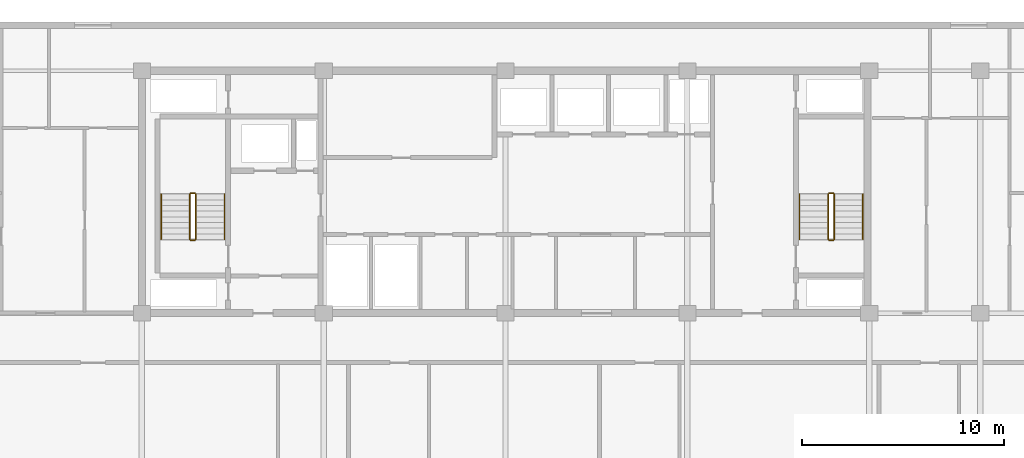
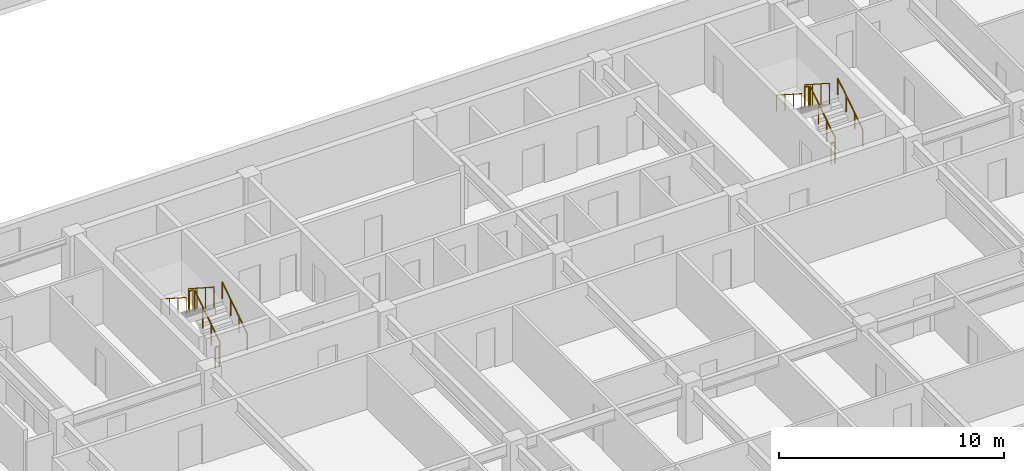
# One storey, part 18 of 21: 12 railings.
"""IFC4 building model written with IfcOpenShell, lengths in metres."""

from ifc_helpers import new_model, si_unit, direction, frame, origin, origin_2d, place, context, subcontext, project, spatial, circle, extrude, material, type_object, element, save


model = new_model("IFC4")

# Units and contexts
model_context = context("Model", 3, precision=1e-05, world=origin(), true_north=direction((0.0, 1.0)))
body_context = subcontext(model_context, "Body", "Model", "MODEL_VIEW")
ifc_project = project(units=[si_unit("LENGTHUNIT", "METRE"), si_unit("AREAUNIT", "SQUARE_METRE"), si_unit("VOLUMEUNIT", "CUBIC_METRE"), si_unit("PLANEANGLEUNIT", "RADIAN"), si_unit("MASSUNIT", "GRAM", prefix="KILO")], contexts=[model_context])

# Site, building, storey
site_placement = place(None, origin())
site = spatial("IfcSite", under=ifc_project, at=site_placement, CompositionType="ELEMENT")
building_placement = place(site_placement, origin())
building = spatial("IfcBuilding", under=site, at=building_placement, Name="Korimba Cascade Residences", CompositionType="ELEMENT")
storey_placement = place(building_placement, frame((0.0, 0.0, 106.800048828125)))
storey = spatial("IfcBuildingStorey", under=building, at=storey_placement, Name="L30", CompositionType="ELEMENT", Elevation=106.800048828125)

# Railings
ifc_material_1 = material(Name="Painted Steel Stairwell Guardrail", Category="steel")
railing_type_1 = type_object("IfcRailingType", Name="RLG-ST-GD1150", PredefinedType="GUARDRAIL", material=ifc_material_1)
railing_1_placement = place(storey_placement, frame((84.77001953125, 22.050048828125, 0.180419921875)))
element("IfcRailing", 1, at=railing_1_placement, inside=storey, type_object=railing_type_1, Name="L30 ST-E1 stair guard 1", PredefinedType="GUARDRAIL", context=body_context, shape_type="SweptSolid", body=[
    extrude(circle(Radius=0.02392578125, at=origin_2d()), frame((0.0, 0.0, 1.1259765625), z_axis=(0.0, 0.840394893359, 0.541974559565), x_axis=(-1.0, 0.0, 0.0)), (0.0, 0.0, 1.0), 2.665283203125),
    extrude(circle(Radius=0.02099609375, at=origin_2d()), origin(), (0.0, 0.0, 1.0), 1.101806640625),
    extrude(circle(Radius=0.02099609375, at=origin_2d()), frame((0.0, 0.74658203125, 0.4814453125)), (0.0, 0.0, 1.0), 1.101806640625),
    extrude(circle(Radius=0.02099609375, at=origin_2d()), frame((0.0, 1.493408203125, 0.963134765625)), (0.0, 0.0, 1.0), 1.101806640625),
    extrude(circle(Radius=0.02099609375, at=origin_2d()), frame((0.0, 2.239990234375, 1.444580078125)), (0.0, 0.0, 1.0), 1.101806640625),
])
railing_2_placement = place(storey_placement, frame((84.719970703125, 24.340087890625, 1.625)))
element("IfcRailing", 2, at=railing_2_placement, inside=storey, type_object=railing_type_1, Name="L30 ST-E1 stair guard 2", PredefinedType="GUARDRAIL", context=body_context, shape_type="SweptSolid", body=[
    extrude(circle(Radius=0.02392578125, at=origin_2d()), frame((0.0, 0.0, 1.1259765625), z_axis=(-1.0, 0.0, 0.0), x_axis=(0.0, -1.0, 0.0)), (0.0, 0.0, 1.0), 0.199951171875),
    extrude(circle(Radius=0.02099609375, at=origin_2d()), origin(), (0.0, 0.0, 1.0), 1.101806640625),
    extrude(circle(Radius=0.02099609375, at=origin_2d()), frame((-0.199951171875, 0.0, 0.0)), (0.0, 0.0, 1.0), 1.101806640625),
])
railing_3_placement = place(storey_placement, frame((84.469970703125, 24.2900390625, 1.805419921875)))
element("IfcRailing", 3, at=railing_3_placement, inside=storey, type_object=railing_type_1, Name="L30 ST-E1 stair guard 3", PredefinedType="GUARDRAIL", context=body_context, shape_type="SweptSolid", body=[
    extrude(circle(Radius=0.02392578125, at=origin_2d()), frame((0.0, 0.0, 1.1259765625), z_axis=(0.0, -0.840394893359, 0.541974559565), x_axis=(1.0, 0.0, 0.0)), (0.0, 0.0, 1.0), 2.665283203125),
    extrude(circle(Radius=0.02099609375, at=origin_2d()), origin(), (0.0, 0.0, 1.0), 1.101806640625),
    extrude(circle(Radius=0.02099609375, at=origin_2d()), frame((0.0, -0.74658203125, 0.4814453125)), (0.0, 0.0, 1.0), 1.101806640625),
    extrude(circle(Radius=0.02099609375, at=origin_2d()), frame((0.0, -1.493408203125, 0.963134765625)), (0.0, 0.0, 1.0), 1.101806640625),
    extrude(circle(Radius=0.02099609375, at=origin_2d()), frame((0.0, -2.239990234375, 1.444580078125)), (0.0, 0.0, 1.0), 1.101806640625),
])
railing_4_placement = place(storey_placement, frame((84.719970703125, 22.0, 0.0)))
element("IfcRailing", 4, at=railing_4_placement, inside=storey, type_object=railing_type_1, Name="L30 ST-E1 stair guard 4", PredefinedType="GUARDRAIL", context=body_context, shape_type="SweptSolid", body=[
    extrude(circle(Radius=0.02392578125, at=origin_2d()), frame((0.0, 0.0, 1.1259765625), z_axis=(-1.0, 0.0, 0.0), x_axis=(0.0, -1.0, 0.0)), (0.0, 0.0, 1.0), 0.199951171875),
    extrude(circle(Radius=0.02099609375, at=origin_2d()), origin(), (0.0, 0.0, 1.0), 1.101806640625),
    extrude(circle(Radius=0.02099609375, at=origin_2d()), frame((-0.199951171875, 0.0, 0.0)), (0.0, 0.0, 1.0), 1.101806640625),
])
railing_5_placement = place(storey_placement, frame((116.3701171875, 22.050048828125, 0.180419921875)))
element("IfcRailing", 5, at=railing_5_placement, inside=storey, type_object=railing_type_1, Name="L30 ST-E2 stair guard 1", PredefinedType="GUARDRAIL", context=body_context, shape_type="SweptSolid", body=[
    extrude(circle(Radius=0.02392578125, at=origin_2d()), frame((0.0, 0.0, 1.1259765625), z_axis=(0.0, 0.840394893359, 0.541974559565), x_axis=(-1.0, 0.0, 0.0)), (0.0, 0.0, 1.0), 2.665283203125),
    extrude(circle(Radius=0.02099609375, at=origin_2d()), origin(), (0.0, 0.0, 1.0), 1.101806640625),
    extrude(circle(Radius=0.02099609375, at=origin_2d()), frame((0.0, 0.74658203125, 0.4814453125)), (0.0, 0.0, 1.0), 1.101806640625),
    extrude(circle(Radius=0.02099609375, at=origin_2d()), frame((0.0, 1.493408203125, 0.963134765625)), (0.0, 0.0, 1.0), 1.101806640625),
    extrude(circle(Radius=0.02099609375, at=origin_2d()), frame((0.0, 2.239990234375, 1.444580078125)), (0.0, 0.0, 1.0), 1.101806640625),
])
railing_6_placement = place(storey_placement, frame((116.320068359375, 24.340087890625, 1.625)))
element("IfcRailing", 6, at=railing_6_placement, inside=storey, type_object=railing_type_1, Name="L30 ST-E2 stair guard 2", PredefinedType="GUARDRAIL", context=body_context, shape_type="SweptSolid", body=[
    extrude(circle(Radius=0.02392578125, at=origin_2d()), frame((0.0, 0.0, 1.1259765625), z_axis=(-1.0, 0.0, 0.0), x_axis=(0.0, -1.0, 0.0)), (0.0, 0.0, 1.0), 0.199951171875),
    extrude(circle(Radius=0.02099609375, at=origin_2d()), origin(), (0.0, 0.0, 1.0), 1.101806640625),
    extrude(circle(Radius=0.02099609375, at=origin_2d()), frame((-0.199951171875, 0.0, 0.0)), (0.0, 0.0, 1.0), 1.101806640625),
])
railing_7_placement = place(storey_placement, frame((116.070068359375, 24.2900390625, 1.805419921875)))
element("IfcRailing", 7, at=railing_7_placement, inside=storey, type_object=railing_type_1, Name="L30 ST-E2 stair guard 3", PredefinedType="GUARDRAIL", context=body_context, shape_type="SweptSolid", body=[
    extrude(circle(Radius=0.02392578125, at=origin_2d()), frame((0.0, 0.0, 1.1259765625), z_axis=(0.0, -0.840394893359, 0.541974559565), x_axis=(1.0, 0.0, 0.0)), (0.0, 0.0, 1.0), 2.665283203125),
    extrude(circle(Radius=0.02099609375, at=origin_2d()), origin(), (0.0, 0.0, 1.0), 1.101806640625),
    extrude(circle(Radius=0.02099609375, at=origin_2d()), frame((0.0, -0.74658203125, 0.4814453125)), (0.0, 0.0, 1.0), 1.101806640625),
    extrude(circle(Radius=0.02099609375, at=origin_2d()), frame((0.0, -1.493408203125, 0.963134765625)), (0.0, 0.0, 1.0), 1.101806640625),
    extrude(circle(Radius=0.02099609375, at=origin_2d()), frame((0.0, -2.239990234375, 1.444580078125)), (0.0, 0.0, 1.0), 1.101806640625),
])
railing_8_placement = place(storey_placement, frame((116.320068359375, 22.0, 0.0)))
element("IfcRailing", 8, at=railing_8_placement, inside=storey, type_object=railing_type_1, Name="L30 ST-E2 stair guard 4", PredefinedType="GUARDRAIL", context=body_context, shape_type="SweptSolid", body=[
    extrude(circle(Radius=0.02392578125, at=origin_2d()), frame((0.0, 0.0, 1.1259765625), z_axis=(-1.0, 0.0, 0.0), x_axis=(0.0, -1.0, 0.0)), (0.0, 0.0, 1.0), 0.199951171875),
    extrude(circle(Radius=0.02099609375, at=origin_2d()), origin(), (0.0, 0.0, 1.0), 1.101806640625),
    extrude(circle(Radius=0.02099609375, at=origin_2d()), frame((-0.199951171875, 0.0, 0.0)), (0.0, 0.0, 1.0), 1.101806640625),
])
ifc_material_2 = material(Name="Brushed Stainless Steel Handrail", Category="steel")
railing_type_2 = type_object("IfcRailingType", Name="RLG-ST-HR900", PredefinedType="HANDRAIL", material=ifc_material_2)
railing_9_placement = place(storey_placement, frame((86.18994140625, 22.050048828125, 0.364990234375)))
element("IfcRailing", 9, at=railing_9_placement, inside=storey, type_object=railing_type_2, Name="L30 ST-E1 stair handrail 1", PredefinedType="HANDRAIL", context=body_context, shape_type="SweptSolid", body=[
    extrude(circle(Radius=0.02392578125, at=origin_2d()), frame((0.0, 0.0, 0.8759765625), z_axis=(0.0, 0.840436612492, 0.541909863706), x_axis=(-1.0, 0.0, 0.0)), (0.0, 0.0, 1.0), 2.665283203125),
    extrude(circle(Radius=0.02099609375, at=origin_2d()), origin(), (0.0, 0.0, 1.0), 0.851806640625),
    extrude(circle(Radius=0.02099609375, at=origin_2d()), frame((0.0, 0.74658203125, 0.4814453125)), (0.0, 0.0, 1.0), 0.851806640625),
    extrude(circle(Radius=0.02099609375, at=origin_2d()), frame((0.0, 1.493408203125, 0.962890625)), (0.0, 0.0, 1.0), 0.851806640625),
    extrude(circle(Radius=0.02099609375, at=origin_2d()), frame((0.0, 2.239990234375, 1.4443359375)), (0.0, 0.0, 1.0), 0.851806640625),
])
railing_10_placement = place(storey_placement, frame((83.050048828125, 24.2900390625, 1.989990234375)))
element("IfcRailing", 10, at=railing_10_placement, inside=storey, type_object=railing_type_2, Name="L30 ST-E1 stair handrail 2", PredefinedType="HANDRAIL", context=body_context, shape_type="SweptSolid", body=[
    extrude(circle(Radius=0.02392578125, at=origin_2d()), frame((0.0, 0.0, 0.8759765625), z_axis=(0.0, -0.840436612492, 0.541909863706), x_axis=(1.0, 0.0, 0.0)), (0.0, 0.0, 1.0), 2.665283203125),
    extrude(circle(Radius=0.02099609375, at=origin_2d()), origin(), (0.0, 0.0, 1.0), 0.851806640625),
    extrude(circle(Radius=0.02099609375, at=origin_2d()), frame((0.0, -0.74658203125, 0.4814453125)), (0.0, 0.0, 1.0), 0.851806640625),
    extrude(circle(Radius=0.02099609375, at=origin_2d()), frame((0.0, -1.493408203125, 0.962890625)), (0.0, 0.0, 1.0), 0.851806640625),
    extrude(circle(Radius=0.02099609375, at=origin_2d()), frame((0.0, -2.239990234375, 1.4443359375)), (0.0, 0.0, 1.0), 0.851806640625),
])
railing_11_placement = place(storey_placement, frame((117.7900390625, 22.050048828125, 0.364990234375)))
element("IfcRailing", 11, at=railing_11_placement, inside=storey, type_object=railing_type_2, Name="L30 ST-E2 stair handrail 1", PredefinedType="HANDRAIL", context=body_context, shape_type="SweptSolid", body=[
    extrude(circle(Radius=0.02392578125, at=origin_2d()), frame((0.0, 0.0, 0.8759765625), z_axis=(0.0, 0.840436612492, 0.541909863706), x_axis=(-1.0, 0.0, 0.0)), (0.0, 0.0, 1.0), 2.665283203125),
    extrude(circle(Radius=0.02099609375, at=origin_2d()), origin(), (0.0, 0.0, 1.0), 0.851806640625),
    extrude(circle(Radius=0.02099609375, at=origin_2d()), frame((0.0, 0.74658203125, 0.4814453125)), (0.0, 0.0, 1.0), 0.851806640625),
    extrude(circle(Radius=0.02099609375, at=origin_2d()), frame((0.0, 1.493408203125, 0.962890625)), (0.0, 0.0, 1.0), 0.851806640625),
    extrude(circle(Radius=0.02099609375, at=origin_2d()), frame((0.0, 2.239990234375, 1.4443359375)), (0.0, 0.0, 1.0), 0.851806640625),
])
railing_12_placement = place(storey_placement, frame((114.64990234375, 24.2900390625, 1.989990234375)))
element("IfcRailing", 12, at=railing_12_placement, inside=storey, type_object=railing_type_2, Name="L30 ST-E2 stair handrail 2", PredefinedType="HANDRAIL", context=body_context, shape_type="SweptSolid", body=[
    extrude(circle(Radius=0.02392578125, at=origin_2d()), frame((0.0, 0.0, 0.8759765625), z_axis=(0.0, -0.840436612492, 0.541909863706), x_axis=(1.0, 0.0, 0.0)), (0.0, 0.0, 1.0), 2.665283203125),
    extrude(circle(Radius=0.02099609375, at=origin_2d()), origin(), (0.0, 0.0, 1.0), 0.851806640625),
    extrude(circle(Radius=0.02099609375, at=origin_2d()), frame((0.0, -0.74658203125, 0.4814453125)), (0.0, 0.0, 1.0), 0.851806640625),
    extrude(circle(Radius=0.02099609375, at=origin_2d()), frame((0.0, -1.493408203125, 0.962890625)), (0.0, 0.0, 1.0), 0.851806640625),
    extrude(circle(Radius=0.02099609375, at=origin_2d()), frame((0.0, -2.239990234375, 1.4443359375)), (0.0, 0.0, 1.0), 0.851806640625),
])

save(model, "model.ifc")
